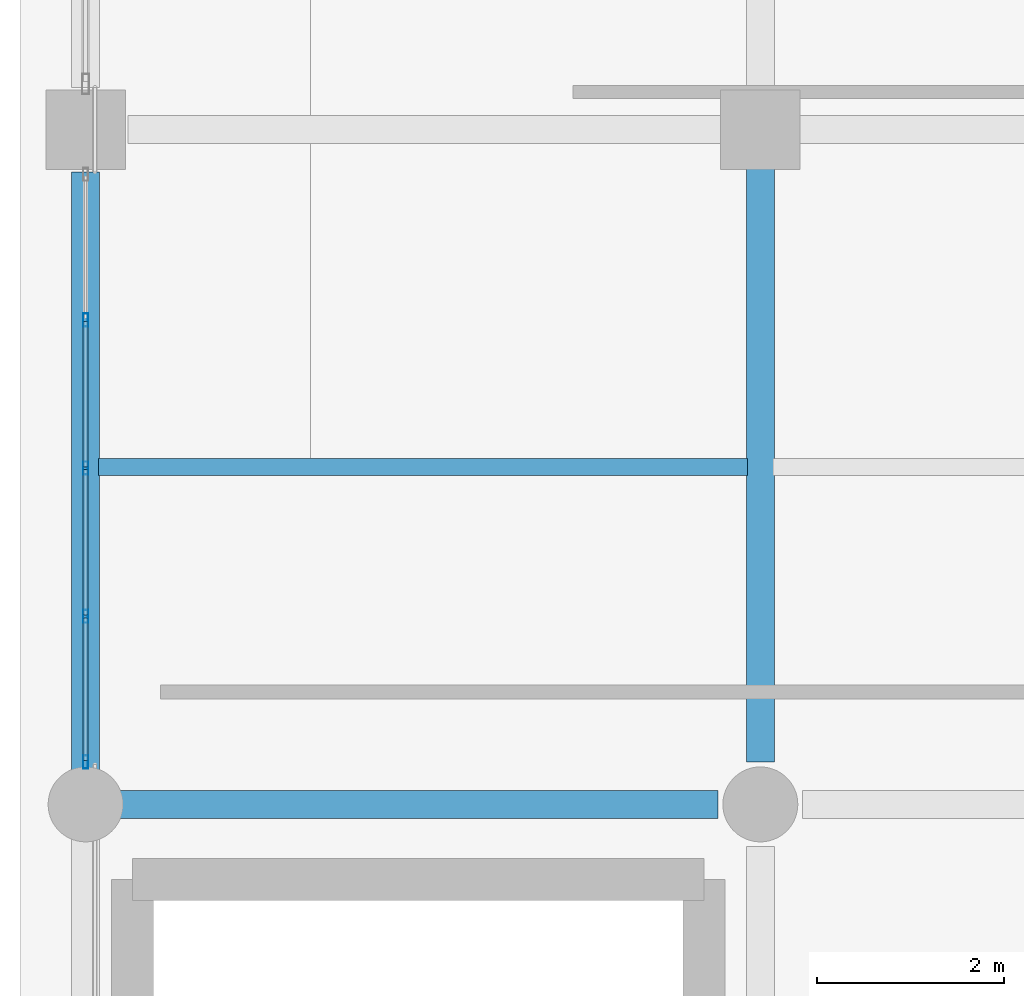
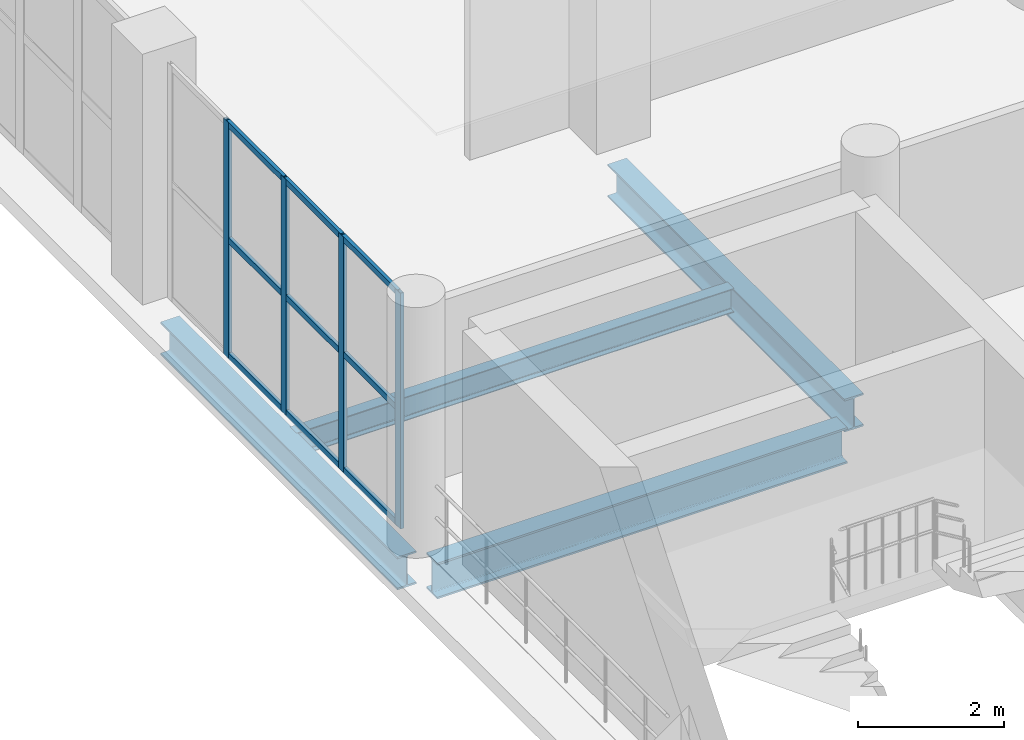
# One storey, part 21 of 153: 13 members, 4 beams, 1 element without a shape of its own.
"""IFC4 building model written with IfcOpenShell, lengths in metres."""

from ifc_helpers import new_model, si_unit, direction, frame, origin, origin_2d, place, context, subcontext, project, spatial, hollow_rectangle, i_section, extrude, material, material_profile, profile_set, type_object, element, aggregate, save


model = new_model("IFC4")

# Units and contexts
model_context = context("Model", 3, precision=1e-05, world=origin(), true_north=direction((0.0, 1.0)))
body_context = subcontext(model_context, "Body", "Model", "MODEL_VIEW")
ifc_project = project(units=[si_unit("LENGTHUNIT", "METRE"), si_unit("AREAUNIT", "SQUARE_METRE"), si_unit("VOLUMEUNIT", "CUBIC_METRE"), si_unit("PLANEANGLEUNIT", "RADIAN"), si_unit("MASSUNIT", "GRAM", prefix="KILO")], contexts=[model_context])

# Site, building, storey
site_placement = place(None, origin())
site = spatial("IfcSite", under=ifc_project, at=site_placement, CompositionType="ELEMENT")
building_placement = place(site_placement, origin())
building = spatial("IfcBuilding", under=site, at=building_placement, Name="Qandorah Velis Arena", CompositionType="ELEMENT")
storey_placement = place(building_placement, frame((0.0, 0.0, 5.39990234375)))
storey = spatial("IfcBuildingStorey", under=building, at=storey_placement, Name="L01", CompositionType="ELEMENT", Elevation=5.39990234375)

# Curtain wall, members
ifc_material_1 = material(Name="Solar-control low-E double glazing", Category="glass")
curtain_wall_type = type_object("IfcCurtainWallType", Name="ARC-CW-SYS04", PredefinedType="USERDEFINED", material=ifc_material_1)
curtain_wall_placement = place(storey_placement, origin())
curtain_wall = element("IfcCurtainWall", 1, at=curtain_wall_placement, inside=storey, type_object=curtain_wall_type, Name="Unitised curtain wall L01-004", ObjectType="UNITISED CURTAIN WALL", PredefinedType="USERDEFINED")
ifc_material_2 = material(Name="Champagne-bronze anodized aluminium 6063-T6", Category="aluminium")
ifc_material_profile_1 = material_profile(ifc_material_2, hollow_rectangle(XDim=0.054931640625, YDim=0.139892578125, WallThickness=0.0029296875, at=origin_2d()), Name="ALU MULLION 55x140")
ifc_profile_set_1 = profile_set([ifc_material_profile_1], Name="Champagne-bronze anodized aluminium 6063-T6")
member_type_1 = type_object("IfcMemberType", Name="ARC-CWM-140", PredefinedType="MULLION", material=ifc_profile_set_1)
member_1_placement = place(storey_placement, frame((0.0, 50.8525390625, -0.014892578125), z_axis=(0.0, 0.0, 1.0), x_axis=(-1.0, 0.0, 0.0)))
member_1 = element("IfcMember", 2, at=member_1_placement, type_object=member_type_1, Name="CW04 mullion 1", PredefinedType="MULLION", context=body_context, shape_type="SweptSolid", body=[
    extrude(hollow_rectangle(XDim=0.054931640625, YDim=0.139892578125, WallThickness=0.0029296875, at=origin_2d()), origin(), (0.0, 0.0, 1.0), 3.949951171875),
])
member_2_placement = place(storey_placement, frame((0.0, 52.40625, -0.014892578125), z_axis=(0.0, 0.0, 1.0), x_axis=(-1.0, 0.0, 0.0)))
member_2 = element("IfcMember", 3, at=member_2_placement, type_object=member_type_1, Name="CW04 mullion 2", PredefinedType="MULLION", context=body_context, shape_type="SweptSolid", body=[
    extrude(hollow_rectangle(XDim=0.054931640625, YDim=0.139892578125, WallThickness=0.0029296875, at=origin_2d()), origin(), (0.0, 0.0, 1.0), 3.949951171875),
])
member_3_placement = place(storey_placement, frame((0.0, 53.987548828125, -0.014892578125), z_axis=(0.0, 0.0, 1.0), x_axis=(-1.0, 0.0, 0.0)))
member_3 = element("IfcMember", 4, at=member_3_placement, type_object=member_type_1, Name="CW04 mullion 3", PredefinedType="MULLION", context=body_context, shape_type="SweptSolid", body=[
    extrude(hollow_rectangle(XDim=0.054931640625, YDim=0.139892578125, WallThickness=0.0029296875, at=origin_2d()), origin(), (0.0, 0.0, 1.0), 3.949951171875),
])
member_4_placement = place(storey_placement, frame((0.0, 55.56884765625, -0.014892578125), z_axis=(0.0, 0.0, 1.0), x_axis=(-1.0, 0.0, 0.0)))
member_4 = element("IfcMember", 5, at=member_4_placement, type_object=member_type_1, Name="CW04 mullion 4", PredefinedType="MULLION", context=body_context, shape_type="SweptSolid", body=[
    extrude(hollow_rectangle(XDim=0.054931640625, YDim=0.139892578125, WallThickness=0.0029296875, at=origin_2d()), origin(), (0.0, 0.0, 1.0), 3.949951171875),
])
ifc_material_profile_2 = material_profile(ifc_material_2, hollow_rectangle(XDim=0.054931640625, YDim=0.10009765625, WallThickness=0.0029296875, at=origin_2d()), Name="ALU TRANSOM 55x100")
ifc_profile_set_2 = profile_set([ifc_material_profile_2], Name="Champagne-bronze anodized aluminium 6063-T6")
member_type_2 = type_object("IfcMemberType", Name="ARC-CWT-100", PredefinedType="USERDEFINED", material=ifc_profile_set_2)
member_5_placement = place(storey_placement, frame((0.0, 50.867919921875, 0.027587890625), z_axis=(0.0, 1.0, 0.0), x_axis=(-1.0, 0.0, 0.0)))
member_5 = element("IfcMember", 6, at=member_5_placement, type_object=member_type_2, Name="CW04 transom 1.1", ObjectType="TRANSOM", PredefinedType="USERDEFINED", context=body_context, shape_type="SweptSolid", body=[
    extrude(hollow_rectangle(XDim=0.054931640625, YDim=0.10009765625, WallThickness=0.0029296875, at=origin_2d()), origin(), (0.0, 0.0, 1.0), 1.52294921875),
])
member_6_placement = place(storey_placement, frame((0.0, 50.867919921875, 1.960205078125), z_axis=(0.0, 1.0, 0.0), x_axis=(-1.0, 0.0, 0.0)))
member_6 = element("IfcMember", 7, at=member_6_placement, type_object=member_type_2, Name="CW04 transom 1.2", ObjectType="TRANSOM", PredefinedType="USERDEFINED", context=body_context, shape_type="SweptSolid", body=[
    extrude(hollow_rectangle(XDim=0.054931640625, YDim=0.10009765625, WallThickness=0.0029296875, at=origin_2d()), origin(), (0.0, 0.0, 1.0), 1.52294921875),
])
member_7_placement = place(storey_placement, frame((0.0, 50.867919921875, 3.892578125), z_axis=(0.0, 1.0, 0.0), x_axis=(-1.0, 0.0, 0.0)))
member_7 = element("IfcMember", 8, at=member_7_placement, type_object=member_type_2, Name="CW04 transom 1.3", ObjectType="TRANSOM", PredefinedType="USERDEFINED", context=body_context, shape_type="SweptSolid", body=[
    extrude(hollow_rectangle(XDim=0.054931640625, YDim=0.10009765625, WallThickness=0.0029296875, at=origin_2d()), origin(), (0.0, 0.0, 1.0), 1.52294921875),
])
member_8_placement = place(storey_placement, frame((0.0, 52.421875, 0.027587890625), z_axis=(0.0, 1.0, 0.0), x_axis=(-1.0, 0.0, 0.0)))
member_8 = element("IfcMember", 9, at=member_8_placement, type_object=member_type_2, Name="CW04 transom 2.1", ObjectType="TRANSOM", PredefinedType="USERDEFINED", context=body_context, shape_type="SweptSolid", body=[
    extrude(hollow_rectangle(XDim=0.054931640625, YDim=0.10009765625, WallThickness=0.0029296875, at=origin_2d()), origin(), (0.0, 0.0, 1.0), 1.550048828125),
])
member_9_placement = place(storey_placement, frame((0.0, 52.421875, 1.960205078125), z_axis=(0.0, 1.0, 0.0), x_axis=(-1.0, 0.0, 0.0)))
member_9 = element("IfcMember", 10, at=member_9_placement, type_object=member_type_2, Name="CW04 transom 2.2", ObjectType="TRANSOM", PredefinedType="USERDEFINED", context=body_context, shape_type="SweptSolid", body=[
    extrude(hollow_rectangle(XDim=0.054931640625, YDim=0.10009765625, WallThickness=0.0029296875, at=origin_2d()), origin(), (0.0, 0.0, 1.0), 1.550048828125),
])
member_10_placement = place(storey_placement, frame((0.0, 52.421875, 3.892578125), z_axis=(0.0, 1.0, 0.0), x_axis=(-1.0, 0.0, 0.0)))
member_10 = element("IfcMember", 11, at=member_10_placement, type_object=member_type_2, Name="CW04 transom 2.3", ObjectType="TRANSOM", PredefinedType="USERDEFINED", context=body_context, shape_type="SweptSolid", body=[
    extrude(hollow_rectangle(XDim=0.054931640625, YDim=0.10009765625, WallThickness=0.0029296875, at=origin_2d()), origin(), (0.0, 0.0, 1.0), 1.550048828125),
])
member_11_placement = place(storey_placement, frame((0.0, 54.0029296875, 0.027587890625), z_axis=(0.0, 1.0, 0.0), x_axis=(-1.0, 0.0, 0.0)))
member_11 = element("IfcMember", 12, at=member_11_placement, type_object=member_type_2, Name="CW04 transom 3.1", ObjectType="TRANSOM", PredefinedType="USERDEFINED", context=body_context, shape_type="SweptSolid", body=[
    extrude(hollow_rectangle(XDim=0.054931640625, YDim=0.10009765625, WallThickness=0.0029296875, at=origin_2d()), origin(), (0.0, 0.0, 1.0), 1.55029296875),
])
member_12_placement = place(storey_placement, frame((0.0, 54.0029296875, 1.960205078125), z_axis=(0.0, 1.0, 0.0), x_axis=(-1.0, 0.0, 0.0)))
member_12 = element("IfcMember", 13, at=member_12_placement, type_object=member_type_2, Name="CW04 transom 3.2", ObjectType="TRANSOM", PredefinedType="USERDEFINED", context=body_context, shape_type="SweptSolid", body=[
    extrude(hollow_rectangle(XDim=0.054931640625, YDim=0.10009765625, WallThickness=0.0029296875, at=origin_2d()), origin(), (0.0, 0.0, 1.0), 1.55029296875),
])
member_13_placement = place(storey_placement, frame((0.0, 54.0029296875, 3.892578125), z_axis=(0.0, 1.0, 0.0), x_axis=(-1.0, 0.0, 0.0)))
member_13 = element("IfcMember", 14, at=member_13_placement, type_object=member_type_2, Name="CW04 transom 3.3", ObjectType="TRANSOM", PredefinedType="USERDEFINED", context=body_context, shape_type="SweptSolid", body=[
    extrude(hollow_rectangle(XDim=0.054931640625, YDim=0.10009765625, WallThickness=0.0029296875, at=origin_2d()), origin(), (0.0, 0.0, 1.0), 1.55029296875),
])
aggregate(curtain_wall, [member_1, member_2, member_3, member_4, member_5, member_6, member_7, member_8, member_9, member_10, member_11, member_12, member_13])

# Beams
ifc_material_3 = material(Name="Steel S355", Category="steel")
ifc_material_profile_3 = material_profile(ifc_material_3, i_section(OverallWidth=0.300048828125, OverallDepth=0.550048828125, WebThickness=0.014892578125, FlangeThickness=0.029052734375, FilletRadius=0.027099609375, at=origin_2d()), Name="HEB 550")
ifc_profile_set_3 = profile_set([ifc_material_profile_3], Name="Steel S355")
beam_type_1 = type_object("IfcBeamType", Name="STR-BM-HEB550", PredefinedType="BEAM", material=ifc_profile_set_3)
for number, where, z_axis, x_axis, name in (
    (15, (0.0, 50.64990234375, -0.635009765625), (0.0, 1.0, 0.0), (-1.0, 0.0, 0.0), "Primary floor girder L01 Y-227"),
    (16, (7.199951171875, 50.85009765625, -0.635009765625), (0.0, 1.0, 0.0), (-1.0, 0.0, 0.0), "Primary floor girder L01 Y-245"),
):
    element("IfcBeam", number, at=place(storey_placement, frame(where, z_axis=z_axis, x_axis=x_axis)), inside=storey, type_object=beam_type_1, Name=name, PredefinedType="BEAM", context=body_context, shape_type="SweptSolid", body=[
        extrude(i_section(OverallWidth=0.300048828125, OverallDepth=0.550048828125, WebThickness=0.014892578125, FlangeThickness=0.029052734375, FilletRadius=0.027099609375, at=origin_2d()), origin(), (0.0, 0.0, 1.0), 6.5),
    ])
ifc_material_profile_4 = material_profile(ifc_material_3, i_section(OverallWidth=0.300048828125, OverallDepth=0.60009765625, WebThickness=0.015380859375, FlangeThickness=0.030029296875, FilletRadius=0.027099609375, at=origin_2d()), Name="HEB 600")
ifc_profile_set_4 = profile_set([ifc_material_profile_4], Name="Steel S355")
beam_type_2 = type_object("IfcBeamType", Name="STR-BM-HEB600", PredefinedType="BEAM", material=ifc_profile_set_4)
beam_1_placement = place(storey_placement, frame((0.25, 50.39990234375, -0.659912109375), z_axis=(1.0, 0.0, 0.0), x_axis=(0.0, 1.0, 0.0)))
element("IfcBeam", 17, at=beam_1_placement, inside=storey, type_object=beam_type_2, Name="Primary floor girder L01 X-088", PredefinedType="BEAM", context=body_context, shape_type="SweptSolid", body=[
    extrude(i_section(OverallWidth=0.300048828125, OverallDepth=0.60009765625, WebThickness=0.015380859375, FlangeThickness=0.030029296875, FilletRadius=0.027099609375, at=origin_2d()), origin(), (0.0, 0.0, 1.0), 6.5),
])
ifc_material_profile_5 = material_profile(ifc_material_3, i_section(OverallWidth=0.179931640625, OverallDepth=0.39990234375, WebThickness=0.008544921875, FlangeThickness=0.013427734375, FilletRadius=0.02099609375, at=origin_2d()), Name="IPE 400")
ifc_profile_set_5 = profile_set([ifc_material_profile_5], Name="Steel S355")
beam_type_3 = type_object("IfcBeamType", Name="STR-JST-IPE400", PredefinedType="JOIST", material=ifc_profile_set_5)
beam_2_placement = place(storey_placement, frame((0.135009765625, 54.0, -0.559814453125), z_axis=(1.0, 0.0, 0.0), x_axis=(0.0, 1.0, 0.0)))
element("IfcBeam", 18, at=beam_2_placement, inside=storey, type_object=beam_type_3, Name="Secondary floor joist L01-006", PredefinedType="JOIST", context=body_context, shape_type="SweptSolid", body=[
    extrude(i_section(OverallWidth=0.179931640625, OverallDepth=0.39990234375, WebThickness=0.008544921875, FlangeThickness=0.013427734375, FilletRadius=0.02099609375, at=origin_2d()), origin(), (0.0, 0.0, 1.0), 6.929931640625),
])

save(model, "model.ifc")
